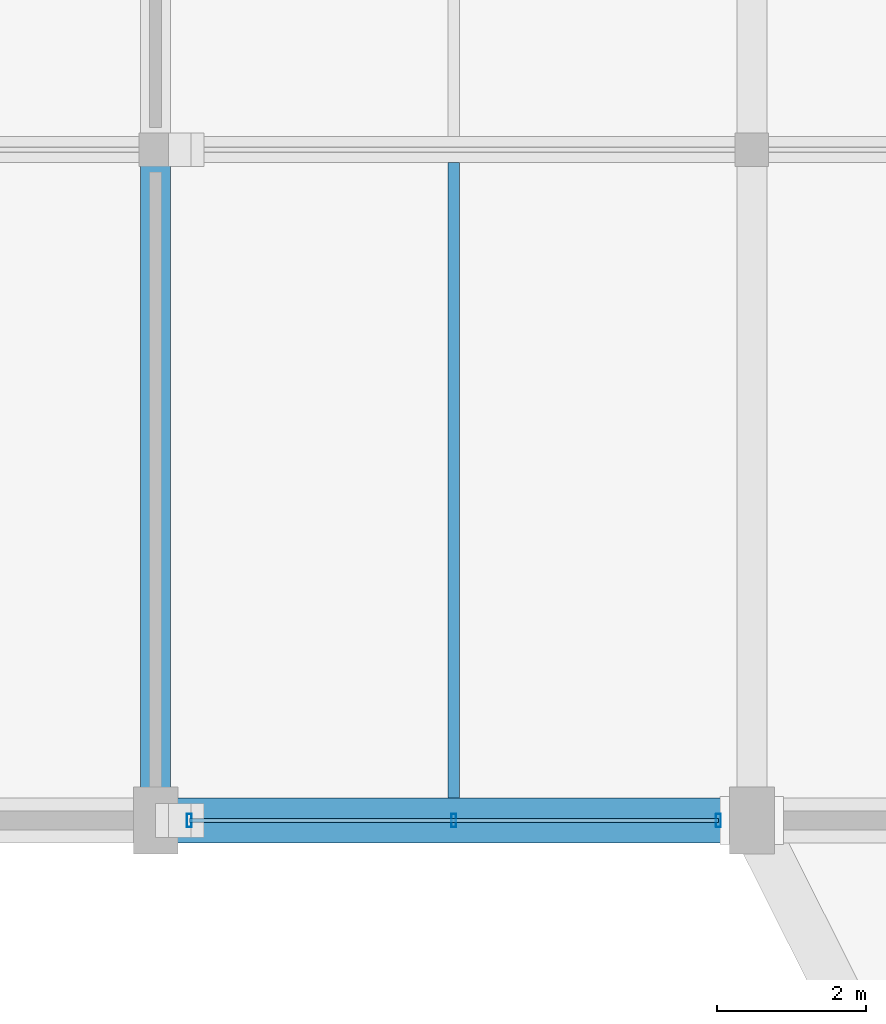
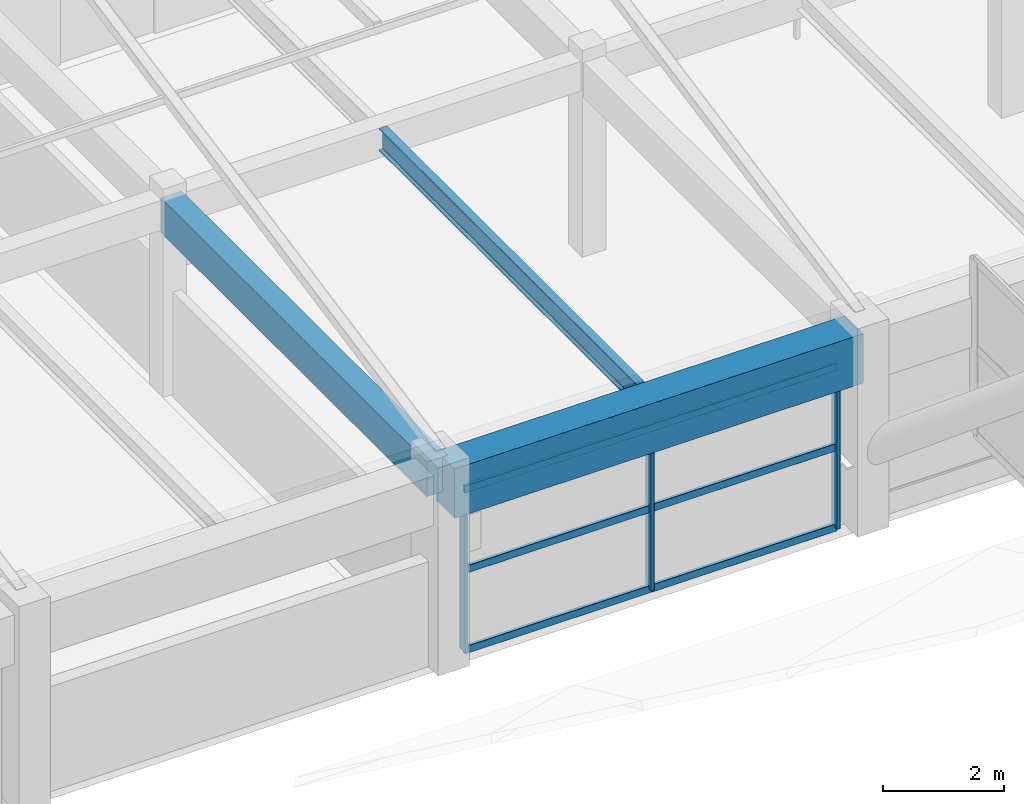
# One storey, part 68 of 126: 6 members, 3 beams, 1 element without a shape of its own.
"""IFC4 building model written with IfcOpenShell, lengths in metres."""

from ifc_helpers import new_model, si_unit, direction, frame, origin, origin_2d, place, context, subcontext, project, spatial, rectangle, hollow_rectangle, i_section, extrude, material, material_profile, profile_set, type_object, element, aggregate, save


model = new_model("IFC4")

# Units and contexts
model_context = context("Model", 3, precision=1e-05, world=origin(), true_north=direction((0.0, 1.0)))
body_context = subcontext(model_context, "Body", "Model", "MODEL_VIEW")
ifc_project = project(units=[si_unit("LENGTHUNIT", "METRE"), si_unit("AREAUNIT", "SQUARE_METRE"), si_unit("VOLUMEUNIT", "CUBIC_METRE"), si_unit("PLANEANGLEUNIT", "RADIAN"), si_unit("MASSUNIT", "GRAM", prefix="KILO")], contexts=[model_context])

# Site, building, storey
site_placement = place(None, origin())
site = spatial("IfcSite", under=ifc_project, at=site_placement, CompositionType="ELEMENT")
building_placement = place(site_placement, origin())
building = spatial("IfcBuilding", under=site, at=building_placement, Name="Varnabhumi Central Station", CompositionType="ELEMENT")
storey_placement = place(building_placement, frame((0.0, 0.0, 16.199951171875)))
storey = spatial("IfcBuildingStorey", under=building, at=storey_placement, Name="L03", CompositionType="ELEMENT", Elevation=16.199951171875)

# Beams
ifc_material_1 = material(Name="Structural steel E350", Category="steel")
ifc_material_profile_1 = material_profile(ifc_material_1, i_section(OverallWidth=0.14990234375, OverallDepth=0.449951171875, WebThickness=0.009521484375, FlangeThickness=0.017333984375, FilletRadius=0.014892578125, at=origin_2d()), Name="Structural steel E350", Category="steel")
ifc_profile_set_1 = profile_set([ifc_material_profile_1], Name="Structural steel E350")
beam_type_1 = type_object("IfcBeamType", Name="BM-JST-ISMB450", PredefinedType="JOIST", material=ifc_profile_set_1)
beam_1_placement = place(storey_placement, frame((124.0, 80.300048828125, 3.72509765625), z_axis=(0.0, 1.0, 0.0), x_axis=(-1.0, 0.0, 0.0)))
element("IfcBeam", 1, at=beam_1_placement, inside=storey, type_object=beam_type_1, Name="Secondary Joist L03-16/17:K-L", PredefinedType="JOIST", context=body_context, shape_type="SweptSolid", body=[
    extrude(i_section(OverallWidth=0.14990234375, OverallDepth=0.449951171875, WebThickness=0.009521484375, FlangeThickness=0.017333984375, FilletRadius=0.014892578125, at=origin_2d()), origin(), (0.0, 0.0, 1.0), 8.52490234375),
])
ifc_material_2 = material(Name="Concrete M50", Category="concrete")
ifc_material_profile_2 = material_profile(ifc_material_2, rectangle(XDim=0.60009765625, YDim=1.0, at=origin_2d()), Name="Concrete M50", Category="concrete")
ifc_profile_set_2 = profile_set([ifc_material_profile_2], Name="Concrete M50")
beam_type_2 = type_object("IfcBeamType", Name="BM-RC-600x1000", PredefinedType="BEAM", material=ifc_profile_set_2)
beam_2_placement = place(storey_placement, frame((120.10009765625, 80.0, 3.449951171875), z_axis=(1.0, 0.0, 0.0), x_axis=(0.0, 1.0, 0.0)))
element("IfcBeam", 2, at=beam_2_placement, inside=storey, type_object=beam_type_2, Name="Beam L03-K:16-17", PredefinedType="BEAM", context=body_context, shape_type="SweptSolid", body=[
    extrude(rectangle(XDim=0.60009765625, YDim=1.0, at=origin_2d()), origin(), (0.0, 0.0, 1.0), 7.7998046875),
])
ifc_material_3 = material(Name="Concrete M40", Category="concrete")
ifc_material_profile_3 = material_profile(ifc_material_3, rectangle(XDim=0.39990234375, YDim=0.699951171875, at=origin_2d()), Name="Concrete M40", Category="concrete")
ifc_profile_set_3 = profile_set([ifc_material_profile_3], Name="Concrete M40")
beam_type_3 = type_object("IfcBeamType", Name="BM-RC-700x400", PredefinedType="BEAM", material=ifc_profile_set_3)
beam_3_placement = place(storey_placement, frame((120.0, 80.10009765625, 3.60009765625), z_axis=(0.0, 1.0, 0.0), x_axis=(-1.0, 0.0, 0.0)))
element("IfcBeam", 3, at=beam_3_placement, inside=storey, type_object=beam_type_3, Name="Beam L03-16:K-L", PredefinedType="BEAM", context=body_context, shape_type="SweptSolid", body=[
    extrude(rectangle(XDim=0.39990234375, YDim=0.699951171875, at=origin_2d()), origin(), (0.0, 0.0, 1.0), 8.7998046875),
])

# Curtain wall, members
ifc_material_4 = material(Name="Anodised aluminium 6063-T6", Category="aluminium")
curtain_wall_type = type_object("IfcCurtainWallType", Name="CW-SPINE-SCREEN-L0", PredefinedType="NOTDEFINED", material=ifc_material_4)
curtain_wall_placement = place(storey_placement, origin())
curtain_wall = element("IfcCurtainWall", 4, at=curtain_wall_placement, inside=storey, type_object=curtain_wall_type, Name="Curtain Wall CW-NS312", PredefinedType="NOTDEFINED")
ifc_material_profile_4 = material_profile(ifc_material_4, hollow_rectangle(XDim=0.06494140625, YDim=0.179931640625, WallThickness=0.00390625, InnerFilletRadius=0.001953125, OuterFilletRadius=0.006103515625, at=origin_2d()), Name="Anodised aluminium 6063-T6", Category="aluminium")
ifc_profile_set_4 = profile_set([ifc_material_profile_4], Name="Anodised aluminium 6063-T6")
member_type_1 = type_object("IfcMemberType", Name="CW-MUL-180", PredefinedType="MULLION", material=ifc_profile_set_4)
member_1_placement = place(storey_placement, frame((120.449951171875, 80.0, 0.0), z_axis=(0.0, 0.0, 1.0), x_axis=(1.0, 0.0, 0.0)))
member_1 = element("IfcMember", 5, at=member_1_placement, type_object=member_type_1, Name="Curtain Wall Mullion CW-NS312-M1", PredefinedType="MULLION", context=body_context, shape_type="SweptSolid", body=[
    extrude(hollow_rectangle(XDim=0.06494140625, YDim=0.179931640625, WallThickness=0.00390625, InnerFilletRadius=0.001953125, OuterFilletRadius=0.006103515625, at=origin_2d()), origin(), (0.0, 0.0, 1.0), 3.239990234375),
])
member_2_placement = place(storey_placement, frame((124.0, 80.0, 0.0), z_axis=(0.0, 0.0, 1.0), x_axis=(1.0, 0.0, 0.0)))
member_2 = element("IfcMember", 6, at=member_2_placement, type_object=member_type_1, Name="Curtain Wall Mullion CW-NS312-M2", PredefinedType="MULLION", context=body_context, shape_type="SweptSolid", body=[
    extrude(hollow_rectangle(XDim=0.06494140625, YDim=0.179931640625, WallThickness=0.00390625, InnerFilletRadius=0.001953125, OuterFilletRadius=0.006103515625, at=origin_2d()), origin(), (0.0, 0.0, 1.0), 3.239990234375),
])
member_3_placement = place(storey_placement, frame((127.550048828125, 80.0, 0.0), z_axis=(0.0, 0.0, 1.0), x_axis=(1.0, 0.0, 0.0)))
member_3 = element("IfcMember", 7, at=member_3_placement, type_object=member_type_1, Name="Curtain Wall Mullion CW-NS312-M3", PredefinedType="MULLION", context=body_context, shape_type="SweptSolid", body=[
    extrude(hollow_rectangle(XDim=0.06494140625, YDim=0.179931640625, WallThickness=0.00390625, InnerFilletRadius=0.001953125, OuterFilletRadius=0.006103515625, at=origin_2d()), origin(), (0.0, 0.0, 1.0), 3.239990234375),
])
ifc_material_profile_5 = material_profile(ifc_material_4, hollow_rectangle(XDim=0.06005859375, YDim=0.14990234375, WallThickness=0.00390625, InnerFilletRadius=0.001953125, OuterFilletRadius=0.006103515625, at=origin_2d()), Name="Anodised aluminium 6063-T6", Category="aluminium")
ifc_profile_set_5 = profile_set([ifc_material_profile_5], Name="Anodised aluminium 6063-T6")
member_type_2 = type_object("IfcMemberType", Name="CW-TR-150", PredefinedType="USERDEFINED", material=ifc_profile_set_5)
member_4_placement = place(storey_placement, frame((120.449951171875, 80.0, 0.0), z_axis=(1.0, 0.0, 0.0), x_axis=(0.0, 1.0, 0.0)))
member_4 = element("IfcMember", 8, at=member_4_placement, type_object=member_type_2, Name="Curtain Wall Transom CW-NS312-T1", ObjectType="TRANSOM", PredefinedType="USERDEFINED", context=body_context, shape_type="SweptSolid", body=[
    extrude(hollow_rectangle(XDim=0.06005859375, YDim=0.14990234375, WallThickness=0.00390625, InnerFilletRadius=0.001953125, OuterFilletRadius=0.006103515625, at=origin_2d()), origin(), (0.0, 0.0, 1.0), 7.10009765625),
])
member_5_placement = place(storey_placement, frame((120.449951171875, 80.0, 1.6201171875), z_axis=(1.0, 0.0, 0.0), x_axis=(0.0, 1.0, 0.0)))
member_5 = element("IfcMember", 9, at=member_5_placement, type_object=member_type_2, Name="Curtain Wall Transom CW-NS312-T2", ObjectType="TRANSOM", PredefinedType="USERDEFINED", context=body_context, shape_type="SweptSolid", body=[
    extrude(hollow_rectangle(XDim=0.06005859375, YDim=0.14990234375, WallThickness=0.00390625, InnerFilletRadius=0.001953125, OuterFilletRadius=0.006103515625, at=origin_2d()), origin(), (0.0, 0.0, 1.0), 7.10009765625),
])
member_6_placement = place(storey_placement, frame((120.449951171875, 80.0, 3.239990234375), z_axis=(1.0, 0.0, 0.0), x_axis=(0.0, 1.0, 0.0)))
member_6 = element("IfcMember", 10, at=member_6_placement, type_object=member_type_2, Name="Curtain Wall Transom CW-NS312-T3", ObjectType="TRANSOM", PredefinedType="USERDEFINED", context=body_context, shape_type="SweptSolid", body=[
    extrude(hollow_rectangle(XDim=0.06005859375, YDim=0.14990234375, WallThickness=0.00390625, InnerFilletRadius=0.001953125, OuterFilletRadius=0.006103515625, at=origin_2d()), origin(), (0.0, 0.0, 1.0), 7.10009765625),
])
aggregate(curtain_wall, [member_1, member_2, member_3, member_4, member_5, member_6])

save(model, "model.ifc")
